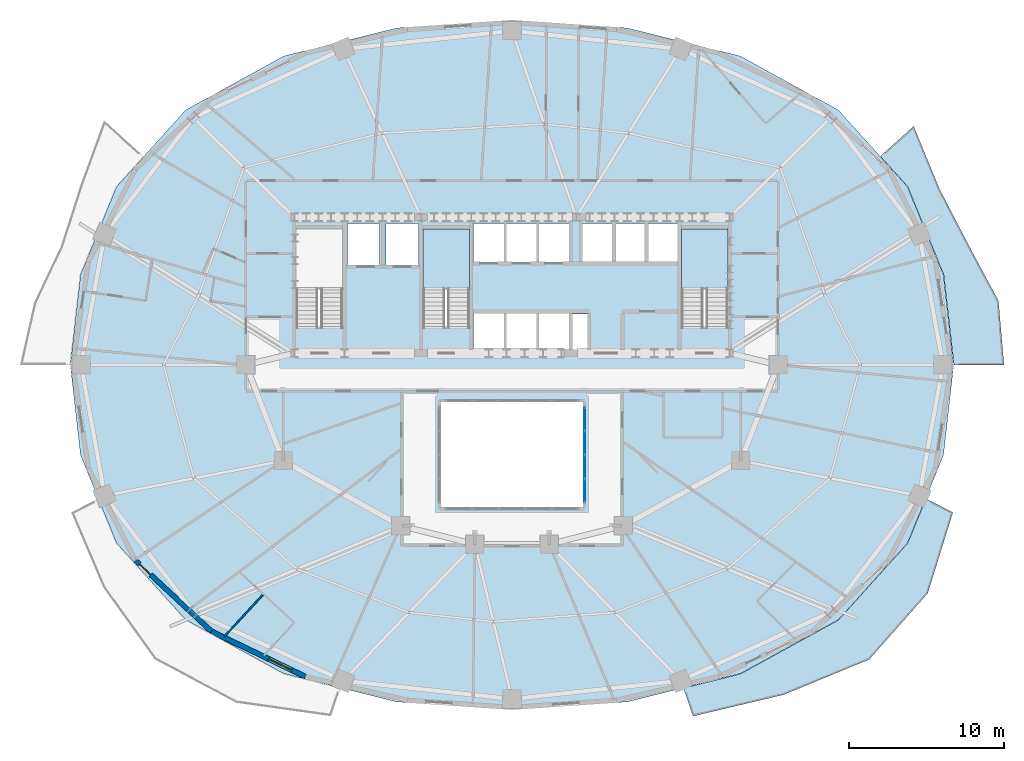
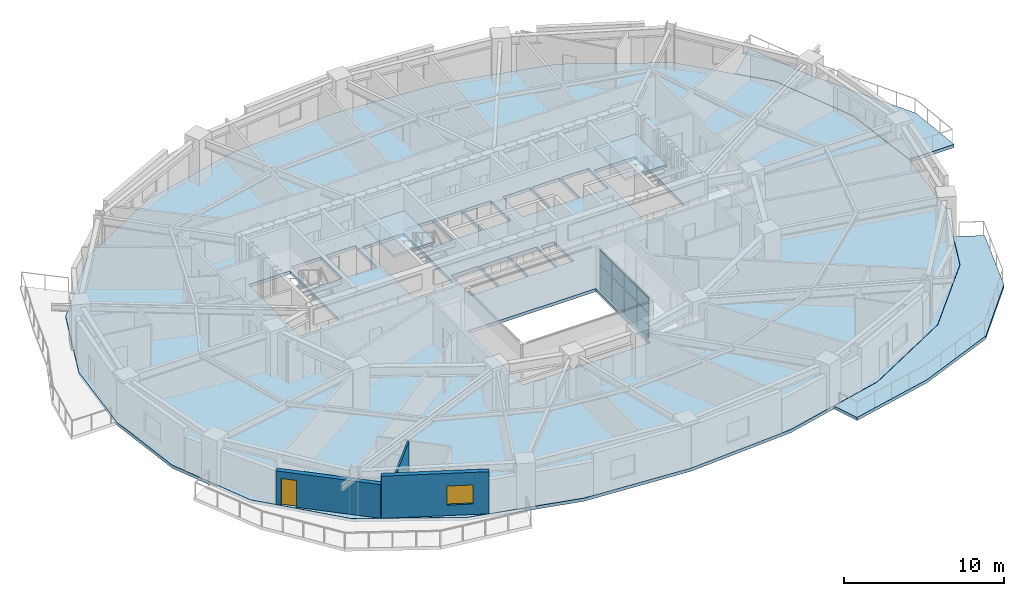
# One storey, part 6 of 14: 8 plates, 5 slabs, 3 walls, 1 door, 1 window, 2 openings, 3 elements without a shape of their own.
"""IFC4 building model written with IfcOpenShell, lengths in metres."""

from ifc_helpers import new_model, si_unit, direction, frame, frame_2d, origin, origin_2d, place, context, subcontext, project, spatial, polyline, rectangle, outline, extrude, material, layer, layer_set, type_object, element, fill, aggregate, save


model = new_model("IFC4")

# Units and contexts
model_context = context("Model", 3, precision=1e-05, world=origin(), true_north=direction((0.0, 1.0)))
body_context = subcontext(model_context, "Body", "Model", "MODEL_VIEW")
ifc_project = project(units=[si_unit("LENGTHUNIT", "METRE"), si_unit("AREAUNIT", "SQUARE_METRE"), si_unit("VOLUMEUNIT", "CUBIC_METRE"), si_unit("PLANEANGLEUNIT", "RADIAN"), si_unit("MASSUNIT", "GRAM", prefix="KILO")], contexts=[model_context])

# Site, building, storey
site_placement = place(None, origin())
site = spatial("IfcSite", under=ifc_project, at=site_placement, CompositionType="ELEMENT")
building_placement = place(site_placement, origin())
building = spatial("IfcBuilding", under=site, at=building_placement, Name="Haldorwick Loom Tower", CompositionType="ELEMENT")
storey_placement = place(building_placement, frame((0.0, 0.0, 99.050048828125)))
storey = spatial("IfcBuildingStorey", under=building, at=storey_placement, Name="L26", CompositionType="ELEMENT", Elevation=99.050048828125)

# Curtain wall, plates
ifc_material_1 = material(Name="Thermally Broken Anodized Aluminium Curtain Wall Framing", Category="aluminium")
curtain_wall_type = type_object("IfcCurtainWallType", Name="ARC-CW-03", PredefinedType="NOTDEFINED", material=ifc_material_1)
curtain_wall_placement = place(storey_placement, origin())
curtain_wall = element("IfcCurtainWall", 1, at=curtain_wall_placement, inside=storey, type_object=curtain_wall_type, Name="L26 Atrium Glazed Screen E", PredefinedType="NOTDEFINED")
ifc_material_2 = material(Name="Triple-Glazed Low-E Argon Insulated Glazing Unit", Category="glass")
ifc_layer_1 = layer(ifc_material_2, 0.04296875, Name="Triple-Glazed Low-E Argon Insulated Glazing Unit", Category="glass")
ifc_layer_set_1 = layer_set([ifc_layer_1], Name="Triple-Glazed Low-E Argon Insulated Glazing Unit")
plate_type = type_object("IfcPlateType", Name="ARC-CWP-03", PredefinedType="CURTAIN_PANEL", material=ifc_layer_set_1)
plate_1_placement = place(storey_placement, frame((40.699951171875, 22.508544921875, 0.06591796875), z_axis=(0.0, 0.0, 1.0), x_axis=(0.0, -1.0, 0.0)))
plate_1 = element("IfcPlate", 2, at=plate_1_placement, type_object=plate_type, Name="CW-03 panel 1.1", PredefinedType="CURTAIN_PANEL", context=body_context, shape_type="SweptSolid", body=[
    extrude(rectangle(XDim=1.450927734375, YDim=0.04296875, at=origin_2d()), origin(), (0.0, 0.0, 1.0), 1.90087890625),
])
plate_2_placement = place(storey_placement, frame((40.699951171875, 22.508544921875, 2.03271484375), z_axis=(0.0, 0.0, 1.0), x_axis=(0.0, -1.0, 0.0)))
plate_2 = element("IfcPlate", 3, at=plate_2_placement, type_object=plate_type, Name="CW-03 panel 1.2", PredefinedType="CURTAIN_PANEL", context=body_context, shape_type="SweptSolid", body=[
    extrude(rectangle(XDim=1.450927734375, YDim=0.04296875, at=origin_2d()), origin(), (0.0, 0.0, 1.0), 1.111083984375),
])
plate_3_placement = place(storey_placement, frame((40.699951171875, 20.97509765625, 0.06591796875), z_axis=(0.0, 0.0, 1.0), x_axis=(0.0, -1.0, 0.0)))
plate_3 = element("IfcPlate", 4, at=plate_3_placement, type_object=plate_type, Name="CW-03 panel 2.1", PredefinedType="CURTAIN_PANEL", context=body_context, shape_type="SweptSolid", body=[
    extrude(rectangle(XDim=1.48388671875, YDim=0.04296875, at=origin_2d()), origin(), (0.0, 0.0, 1.0), 1.90087890625),
])
plate_4_placement = place(storey_placement, frame((40.699951171875, 20.97509765625, 2.03271484375), z_axis=(0.0, 0.0, 1.0), x_axis=(0.0, -1.0, 0.0)))
plate_4 = element("IfcPlate", 5, at=plate_4_placement, type_object=plate_type, Name="CW-03 panel 2.2", PredefinedType="CURTAIN_PANEL", context=body_context, shape_type="SweptSolid", body=[
    extrude(rectangle(XDim=1.48388671875, YDim=0.04296875, at=origin_2d()), origin(), (0.0, 0.0, 1.0), 1.111083984375),
])
plate_5_placement = place(storey_placement, frame((40.699951171875, 19.425048828125, 0.06591796875), z_axis=(0.0, 0.0, 1.0), x_axis=(0.0, -1.0, 0.0)))
plate_5 = element("IfcPlate", 6, at=plate_5_placement, type_object=plate_type, Name="CW-03 panel 3.1", PredefinedType="CURTAIN_PANEL", context=body_context, shape_type="SweptSolid", body=[
    extrude(rectangle(XDim=1.48388671875, YDim=0.04296875, at=origin_2d()), origin(), (0.0, 0.0, 1.0), 1.90087890625),
])
plate_6_placement = place(storey_placement, frame((40.699951171875, 19.425048828125, 2.03271484375), z_axis=(0.0, 0.0, 1.0), x_axis=(0.0, -1.0, 0.0)))
plate_6 = element("IfcPlate", 7, at=plate_6_placement, type_object=plate_type, Name="CW-03 panel 3.2", PredefinedType="CURTAIN_PANEL", context=body_context, shape_type="SweptSolid", body=[
    extrude(rectangle(XDim=1.48388671875, YDim=0.04296875, at=origin_2d()), origin(), (0.0, 0.0, 1.0), 1.111083984375),
])
plate_7_placement = place(storey_placement, frame((40.699951171875, 17.8916015625, 0.06591796875), z_axis=(0.0, 0.0, 1.0), x_axis=(0.0, -1.0, 0.0)))
plate_7 = element("IfcPlate", 8, at=plate_7_placement, type_object=plate_type, Name="CW-03 panel 4.1", PredefinedType="CURTAIN_PANEL", context=body_context, shape_type="SweptSolid", body=[
    extrude(rectangle(XDim=1.450927734375, YDim=0.04296875, at=origin_2d()), origin(), (0.0, 0.0, 1.0), 1.90087890625),
])
plate_8_placement = place(storey_placement, frame((40.699951171875, 17.8916015625, 2.03271484375), z_axis=(0.0, 0.0, 1.0), x_axis=(0.0, -1.0, 0.0)))
plate_8 = element("IfcPlate", 9, at=plate_8_placement, type_object=plate_type, Name="CW-03 panel 4.2", PredefinedType="CURTAIN_PANEL", context=body_context, shape_type="SweptSolid", body=[
    extrude(rectangle(XDim=1.450927734375, YDim=0.04296875, at=origin_2d()), origin(), (0.0, 0.0, 1.0), 1.111083984375),
])
aggregate(curtain_wall, [plate_1, plate_2, plate_3, plate_4, plate_5, plate_6, plate_7, plate_8])

# Slabs
ifc_material_3 = material(Name="Concrete C40 (40 MPa)", Category="concrete")
ifc_layer_2 = layer(ifc_material_3, 0.239990234375, Name="Concrete C40 (40 MPa)", Category="concrete")
ifc_layer_set_2 = layer_set([ifc_layer_2], Name="Concrete C40 (40 MPa)")
slab_type_1 = type_object("IfcSlabType", Name="STR-SLB-BAL240", PredefinedType="FLOOR", material=ifc_layer_set_2)
slab_1_placement = place(storey_placement, frame((0.0, 0.0, -0.239990234375)))
element("IfcSlab", 10, at=slab_1_placement, inside=storey, type_object=slab_type_1, Name="L26 Sinusoidal Balcony Terrace BAL_SE", PredefinedType="FLOOR", context=body_context, shape_type="SweptSolid", body=[
    extrude(outline(polyline([(62.759033203125, 17.349609375), (61.580078125, 14.468994140625), (61.579345703125, 14.4677734375), (61.578857421875, 14.466552734375), (61.578125, 14.465576171875), (61.5771484375, 14.464599609375), (57.11279296875, 9.51318359375), (57.11181640625, 9.51220703125), (57.1103515625, 9.510986328125), (57.10888671875, 9.51025390625), (50.767822265625, 6.0244140625), (50.7666015625, 6.023681640625), (50.765380859375, 6.023193359375), (50.76416015625, 6.022705078125), (47.087890625, 5.10546875), (47.705810546875, 3.292724609375), (53.555908203125, 4.676025390625), (59.101806640625, 6.961669921875), (62.8779296875, 11.235107421875), (64.50244140625, 16.4658203125), (62.759033203125, 17.349609375)])), origin(), (0.0, 0.0, 1.0), 0.239990234375),
])
slab_2_placement = place(storey_placement, frame((0.0, 0.0, -0.239990234375)))
element("IfcSlab", 11, at=slab_2_placement, inside=storey, type_object=slab_type_1, Name="L26 Sinusoidal Balcony Terrace BAL_ENE", PredefinedType="FLOOR", context=body_context, shape_type="SweptSolid", body=[
    extrude(outline(polyline([(59.8134765625, 39.49169921875), (61.5771484375, 37.535400390625), (61.578125, 37.534423828125), (61.578857421875, 37.533447265625), (61.579345703125, 37.5322265625), (61.580078125, 37.531005859375), (63.90869140625, 31.841796875), (63.9091796875, 31.840576171875), (63.909423828125, 31.83935546875), (63.90966796875, 31.837890625), (64.572509765625, 26.001708984375), (64.572509765625, 26.0), (67.8076171875, 26.0), (67.451904296875, 30.13720703125), (65.49462890625, 33.793701171875), (63.64013671875, 37.364990234375), (61.96923828125, 41.431640625), (59.8134765625, 39.49169921875)])), origin(), (0.0, 0.0, 1.0), 0.239990234375),
])

# Stair, slab
stair_type = type_object("IfcStairType", Name="STR-STR-CORE", PredefinedType="HALF_TURN_STAIR", material=ifc_material_3)
stair_1_placement = place(storey_placement, origin())
stair_1 = element("IfcStair", 12, at=stair_1_placement, inside=storey, type_object=stair_type, Name="L26 Exit Stair ST-02", PredefinedType="HALF_TURN_STAIR")
ifc_layer_3 = layer(ifc_material_3, 0.199951171875, Name="Concrete C40 (40 MPa)", Category="concrete")
ifc_layer_set_3 = layer_set([ifc_layer_3], Name="Concrete C40 (40 MPa)")
slab_type_2 = type_object("IfcSlabType", Name="STR-SLB-LAND200", PredefinedType="LANDING", material=ifc_layer_set_3)
slab_3_placement = place(storey_placement, frame((0.0, 0.0, 1.52490234375)))
slab_3 = element("IfcSlab", 13, at=slab_3_placement, type_object=slab_type_2, Name="ST-02 landing 1", PredefinedType="LANDING", context=body_context, shape_type="SweptSolid", body=[
    extrude(outline(polyline([(49.949951171875, 30.919921875), (49.949951171875, 34.800048828125), (46.949951171875, 34.800048828125), (46.949951171875, 30.919921875), (49.949951171875, 30.919921875)])), origin(), (0.0, 0.0, 1.0), 0.199951171875),
])
aggregate(stair_1, [slab_3])

stair_2_placement = place(storey_placement, origin())
stair_2 = element("IfcStair", 14, at=stair_2_placement, inside=storey, type_object=stair_type, Name="L26 Exit Stair ST-03", PredefinedType="HALF_TURN_STAIR")
slab_4_placement = place(storey_placement, frame((0.0, 0.0, 1.52490234375)))
slab_4 = element("IfcSlab", 15, at=slab_4_placement, type_object=slab_type_2, Name="ST-03 landing 1", PredefinedType="LANDING", context=body_context, shape_type="SweptSolid", body=[
    extrude(outline(polyline([(33.25, 30.919921875), (33.25, 34.800048828125), (30.25, 34.800048828125), (30.25, 30.919921875), (33.25, 30.919921875)])), origin(), (0.0, 0.0, 1.0), 0.199951171875),
])
aggregate(stair_2, [slab_4])

# Slab
ifc_layer_4 = layer(ifc_material_3, 0.239990234375, Name="Concrete C40 (40 MPa)", Category="concrete")
ifc_layer_set_4 = layer_set([ifc_layer_4], Name="Concrete C40 (40 MPa)")
slab_type_3 = type_object("IfcSlabType", Name="STR-SLB-RES240", PredefinedType="FLOOR", material=ifc_layer_set_4)
slab_5_placement = place(storey_placement, frame((0.0, 0.0, -0.239990234375)))
element("IfcSlab", 16, at=slab_5_placement, inside=storey, type_object=slab_type_3, Name="L26 Residential Structural Floor Slab", PredefinedType="FLOOR", context=body_context, shape_type="SweptSolid", body=[
    extrude(outline(polyline([(57.101806640625, 9.523193359375), (61.566162109375, 14.474609375), (63.894775390625, 20.163818359375), (64.5576171875, 26.0), (63.894775390625, 31.836181640625), (61.566162109375, 37.525390625), (57.101806640625, 42.476806640625), (50.760498046875, 45.962646484375), (43.474365234375, 47.781005859375), (36.0, 48.29833984375), (28.525634765625, 47.781005859375), (21.239501953125, 45.962646484375), (14.898193359375, 42.476806640625), (10.433837890625, 37.525390625), (8.105224609375, 31.836181640625), (7.4423828125, 26.0), (8.105224609375, 20.163818359375), (10.433837890625, 14.474609375), (14.898193359375, 9.523193359375), (21.239501953125, 6.037353515625), (28.525634765625, 4.218994140625), (36.0, 3.70166015625), (43.474365234375, 4.218994140625), (50.760498046875, 6.037353515625), (57.101806640625, 9.523193359375)]), holes=[polyline([(31.39990234375, 23.60009765625), (40.60009765625, 23.60009765625), (40.60009765625, 16.800048828125), (31.39990234375, 16.800048828125), (31.39990234375, 23.60009765625)]), polyline([(33.5, 26.85009765625), (33.5, 29.35009765625), (35.5, 29.35009765625), (35.5, 26.85009765625), (33.5, 26.85009765625)]), polyline([(22.050048828125, 28.39990234375), (22.050048828125, 34.800048828125), (25.050048828125, 34.800048828125), (25.050048828125, 28.639892578125), (23.6201171875, 28.639892578125), (23.6201171875, 28.39990234375), (22.050048828125, 28.39990234375)]), polyline([(30.25, 28.39990234375), (30.25, 34.800048828125), (33.25, 34.800048828125), (33.25, 28.639892578125), (31.820068359375, 28.639892578125), (31.820068359375, 28.39990234375), (30.25, 28.39990234375)]), polyline([(25.35009765625, 32.449951171875), (25.35009765625, 35.14990234375), (27.449951171875, 35.14990234375), (27.449951171875, 32.449951171875), (25.35009765625, 32.449951171875)]), polyline([(27.85009765625, 32.449951171875), (27.85009765625, 35.14990234375), (29.949951171875, 35.14990234375), (29.949951171875, 32.449951171875), (27.85009765625, 32.449951171875)]), polyline([(33.5, 32.64990234375), (33.5, 35.14990234375), (35.5, 35.14990234375), (35.5, 32.64990234375), (33.5, 32.64990234375)]), polyline([(35.60009765625, 32.64990234375), (35.60009765625, 35.14990234375), (37.60009765625, 35.14990234375), (37.60009765625, 32.64990234375), (35.60009765625, 32.64990234375)]), polyline([(35.60009765625, 26.85009765625), (35.60009765625, 29.35009765625), (37.60009765625, 29.35009765625), (37.60009765625, 26.85009765625), (35.60009765625, 26.85009765625)]), polyline([(37.699951171875, 26.85009765625), (37.699951171875, 29.35009765625), (39.699951171875, 29.35009765625), (39.699951171875, 26.85009765625), (37.699951171875, 26.85009765625)]), polyline([(39.89990234375, 26.89990234375), (39.89990234375, 29.300048828125), (40.89990234375, 29.300048828125), (40.89990234375, 26.89990234375), (39.89990234375, 26.89990234375)]), polyline([(46.949951171875, 28.39990234375), (46.949951171875, 34.800048828125), (49.949951171875, 34.800048828125), (49.949951171875, 28.639892578125), (48.52001953125, 28.639892578125), (48.52001953125, 28.39990234375), (46.949951171875, 28.39990234375)]), polyline([(37.699951171875, 32.64990234375), (37.699951171875, 35.14990234375), (39.699951171875, 35.14990234375), (39.699951171875, 32.64990234375), (37.699951171875, 32.64990234375)]), polyline([(40.550048828125, 32.64990234375), (40.550048828125, 35.14990234375), (42.550048828125, 35.14990234375), (42.550048828125, 32.64990234375), (40.550048828125, 32.64990234375)]), polyline([(42.64990234375, 32.64990234375), (42.64990234375, 35.14990234375), (44.64990234375, 35.14990234375), (44.64990234375, 32.64990234375), (42.64990234375, 32.64990234375)]), polyline([(44.75, 32.64990234375), (44.75, 35.14990234375), (46.75, 35.14990234375), (46.75, 32.64990234375), (44.75, 32.64990234375)])]), origin(), (0.0, 0.0, 1.0), 0.239990234375),
])

# Wall, opening, door
ifc_material_4 = material(Name="Pressed Clay Face Brick and Insulated Masonry Backup Assembly", Category="masonry")
ifc_layer_5 = layer(ifc_material_4, 0.320068359375, Name="Pressed Clay Face Brick and Insulated Masonry Backup Assembly", Category="masonry")
ifc_layer_set_5 = layer_set([ifc_layer_5], Name="Pressed Clay Face Brick and Insulated Masonry Backup Assembly")
wall_type_1 = type_object("IfcWallType", Name="ARC-WL-EXT320", PredefinedType="STANDARD", material=ifc_layer_set_5)
wall_1_placement = place(storey_placement, frame((11.661376953125, 13.344482421875, 0.0), z_axis=(0.0, 0.0, 1.0), x_axis=(0.732137360086, -0.681157020052, 0.0)))
wall_1 = element("IfcWall", 17, at=wall_1_placement, inside=storey, type_object=wall_type_1, Name="L26 Brick Pier and Spandrel Wall 15", PredefinedType="STANDARD", context=body_context, shape_type="SweptSolid", body=[
    extrude(rectangle(XDim=6.709228515625, YDim=0.320068359375, at=frame_2d((3.3544921875, 0.0))), origin(), (0.0, 0.0, 1.0), 2.56884765625),
])
opening_1_placement = place(wall_1_placement, frame((0.340087890625, 0.0, 0.0)))
opening_1 = element("IfcOpeningElement", 18, at=opening_1_placement, cuts=wall_1, Name="Opening D-BL10", PredefinedType="OPENING", context=body_context, shape_type="SweptSolid", body=[
    extrude(rectangle(XDim=1.0, YDim=2.0400390625, at=frame_2d((0.5, 1.02001953125))), frame((0.0, 0.169921875, 0.0), z_axis=(0.0, -1.0, 0.0), x_axis=(1.0, 0.0, 0.0)), (0.0, 0.0, 1.0), 0.340087890625),
])
door_type = type_object("IfcDoorType", Name="ARC-DR-BAL100", OperationType="NOTDEFINED", PredefinedType="DOOR", material=ifc_material_1)
door_placement = place(opening_1_placement, origin())
door = element("IfcDoor", 19, at=door_placement, inside=storey, type_object=door_type, Name="L26 Outdoor Terrace Door SLB-L26-BAL_SW", OperationType="SINGLE_SWING_LEFT", OverallHeight=2.0400390625, OverallWidth=1.0, PredefinedType="DOOR", context=body_context, shape_type="SweptSolid", body=[
    extrude(rectangle(XDim=1.0, YDim=2.0400390625, at=frame_2d((0.5, 1.02001953125))), frame((0.0, 0.02490234375, 0.0), z_axis=(0.0, -1.0, 0.0), x_axis=(1.0, 0.0, 0.0)), (0.0, 0.0, 1.0), 0.050048828125),
])
fill(opening_1, door)

# Wall, opening, window
wall_2_placement = place(storey_placement, frame((16.573486328125, 8.7744140625, 0.0), z_axis=(0.0, 0.0, 1.0), x_axis=(0.900510094661, -0.434835106004, 0.0)))
wall_2 = element("IfcWall", 20, at=wall_2_placement, inside=storey, type_object=wall_type_1, Name="L26 Brick Pier and Spandrel Wall 16", PredefinedType="STANDARD", context=body_context, shape_type="SweptSolid", body=[
    extrude(rectangle(XDim=6.744873046875, YDim=0.320068359375, at=frame_2d((3.37255859375, 0.0))), origin(), (0.0, 0.0, 1.0), 3.2099609375),
])
opening_2_placement = place(wall_2_placement, frame((4.098388671875, 0.0, 0.800048828125)))
opening_2 = element("IfcOpeningElement", 21, at=opening_2_placement, cuts=wall_2, Name="Opening W-01B", PredefinedType="OPENING", context=body_context, shape_type="SweptSolid", body=[
    extrude(rectangle(XDim=1.64990234375, YDim=1.449951171875, at=frame_2d((0.824951171875, 0.72509765625))), frame((0.0, 0.169921875, 0.0), z_axis=(0.0, -1.0, 0.0), x_axis=(1.0, 0.0, 0.0)), (0.0, 0.0, 1.0), 0.340087890625),
])
window_type = type_object("IfcWindowType", Name="ARC-WIN-W165", PartitioningType="SINGLE_PANEL", PredefinedType="WINDOW", material=ifc_material_2)
window_placement = place(opening_2_placement, origin())
window = element("IfcWindow", 22, at=window_placement, inside=storey, type_object=window_type, Name="L26 Deep-Set Zone 7A Window 16", OverallHeight=1.449951171875, OverallWidth=1.64990234375, PartitioningType="SINGLE_PANEL", PredefinedType="WINDOW", context=body_context, shape_type="SweptSolid", body=[
    extrude(rectangle(XDim=1.64990234375, YDim=1.449951171875, at=frame_2d((0.824951171875, 0.72509765625))), frame((0.0, 0.030029296875, 0.0), z_axis=(0.0, -1.0, 0.0), x_axis=(1.0, 0.0, 0.0)), (0.0, 0.0, 1.0), 0.06005859375),
])
fill(opening_2, window)

# Wall
ifc_material_5 = material(Name="Acoustic Gypsum Stud Assembly STC 55")
ifc_layer_6 = layer(ifc_material_5, 0.1201171875, Name="Acoustic Gypsum Stud Assembly STC 55")
ifc_layer_set_6 = layer_set([ifc_layer_6], Name="Acoustic Gypsum Stud Assembly STC 55")
wall_type_2 = type_object("IfcWallType", Name="ARC-WL-PART120", PredefinedType="PARTITIONING", material=ifc_layer_set_6)
wall_3_placement = place(storey_placement, frame((19.889404296875, 11.1328125, 0.0), z_axis=(0.0, 0.0, 1.0), x_axis=(-0.678183111361, -0.73489296327, 0.0)))
element("IfcWall", 23, at=wall_3_placement, inside=storey, type_object=wall_type_2, Name="L26 Unit 26M Interior Partition", PredefinedType="PARTITIONING", context=body_context, shape_type="SweptSolid", body=[
    extrude(rectangle(XDim=3.659423828125, YDim=0.1201171875, at=frame_2d((1.82958984375, 0.0))), origin(), (0.0, 0.0, 1.0), 3.195068359375),
])

save(model, "model.ifc")
